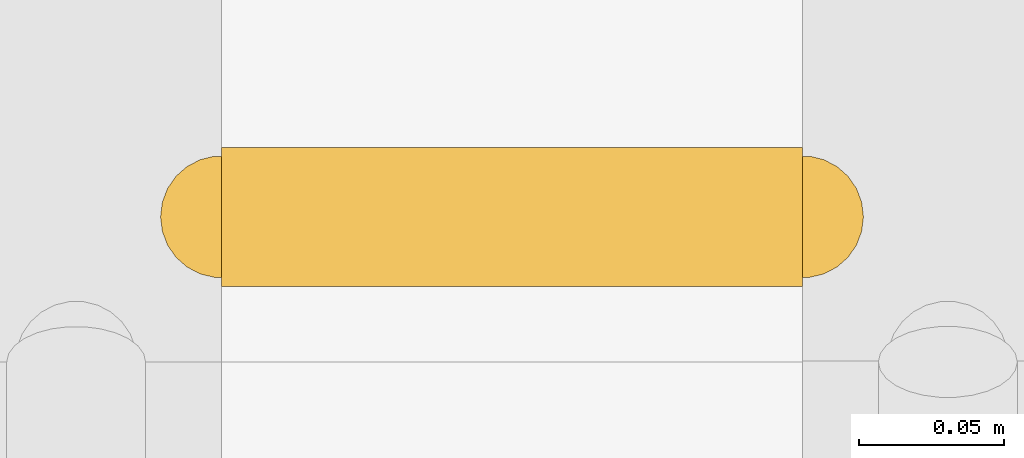
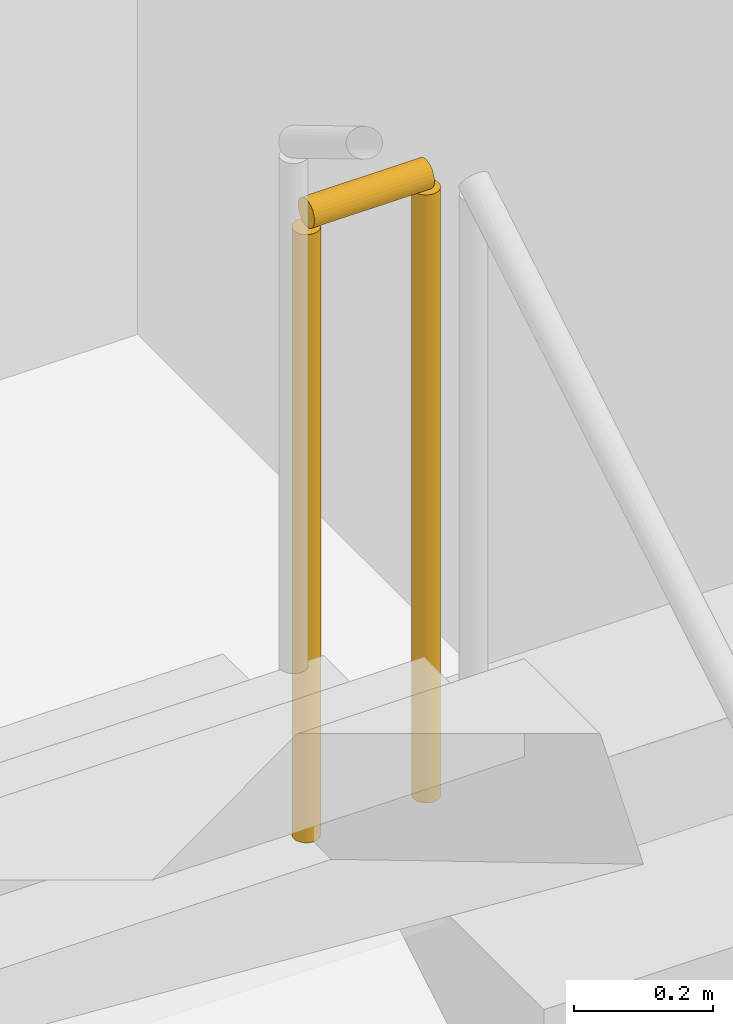
# One storey, part 46 of 49: 1 railing.
"""IFC4 building model written with IfcOpenShell, lengths in metres."""

from ifc_helpers import new_model, si_unit, direction, frame, origin, origin_2d, place, context, subcontext, project, spatial, circle, extrude, material, type_object, element, save


model = new_model("IFC4")

# Units and contexts
model_context = context("Model", 3, precision=1e-05, world=origin(), true_north=direction((0.0, 1.0)))
body_context = subcontext(model_context, "Body", "Model", "MODEL_VIEW")
ifc_project = project(units=[si_unit("LENGTHUNIT", "METRE"), si_unit("AREAUNIT", "SQUARE_METRE"), si_unit("VOLUMEUNIT", "CUBIC_METRE"), si_unit("PLANEANGLEUNIT", "RADIAN"), si_unit("MASSUNIT", "GRAM", prefix="KILO")], contexts=[model_context])

# Site, building, storey
site_placement = place(None, origin())
site = spatial("IfcSite", under=ifc_project, at=site_placement, CompositionType="ELEMENT")
building_placement = place(site_placement, origin())
building = spatial("IfcBuilding", under=site, at=building_placement, Name="Sollismere Congress Hotel", CompositionType="ELEMENT")
storey_placement = place(building_placement, frame((0.0, 0.0, -4.5)))
storey = spatial("IfcBuildingStorey", under=building, at=storey_placement, Name="B1", CompositionType="ELEMENT", Elevation=-4.5)

# Railing
ifc_material = material(Name="Steel ASTM A500 Grade C", Category="steel")
railing_type = type_object("IfcRailingType", Name="RL-GRD112", PredefinedType="GUARDRAIL", material=ifc_material)
railing_placement = place(storey_placement, frame((15.14990234375, 61.97998046875, 2.25)))
element("IfcRailing", 1, at=railing_placement, inside=storey, type_object=railing_type, Name="RLG-RG-ST-05-B1-2", PredefinedType="GUARDRAIL", context=body_context, shape_type="SweptSolid", body=[
    extrude(circle(Radius=0.02392578125, at=origin_2d()), frame((0.0, 0.0, 1.09619140625), z_axis=(-1.0, 0.0, 0.0), x_axis=(0.0, -1.0, 0.0)), (0.0, 0.0, 1.0), 0.199951171875),
    extrude(circle(Radius=0.02099609375, at=origin_2d()), origin(), (0.0, 0.0, 1.0), 1.072021484375),
    extrude(circle(Radius=0.02099609375, at=origin_2d()), frame((-0.199951171875, 0.0, 0.0)), (0.0, 0.0, 1.0), 1.072021484375),
])

save(model, "model.ifc")
